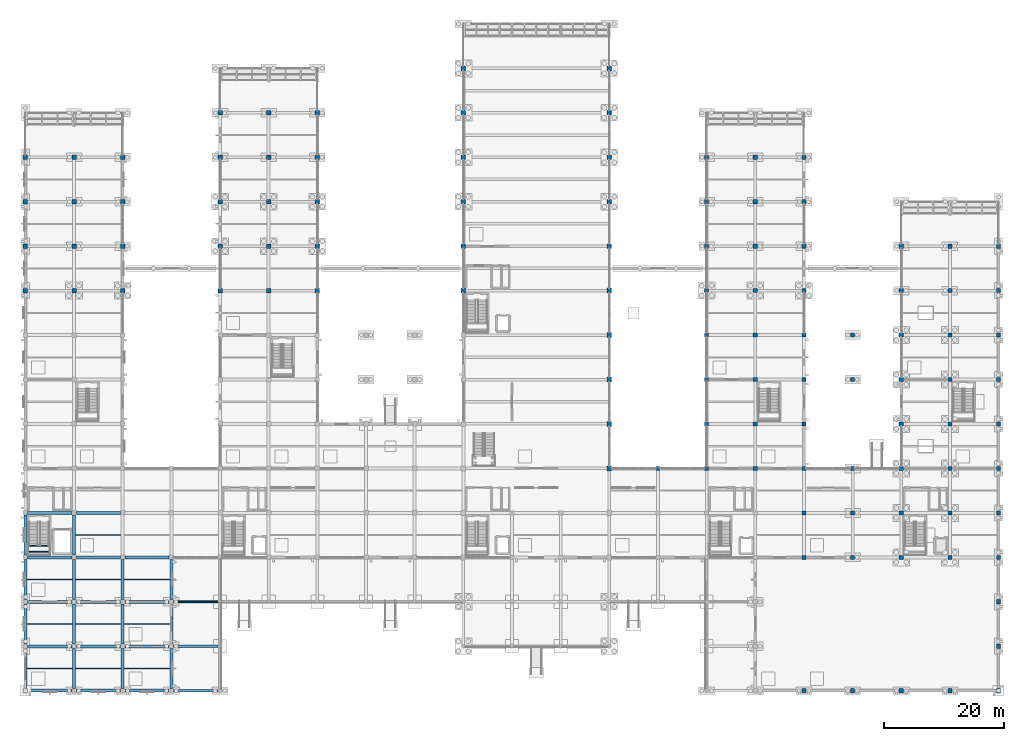
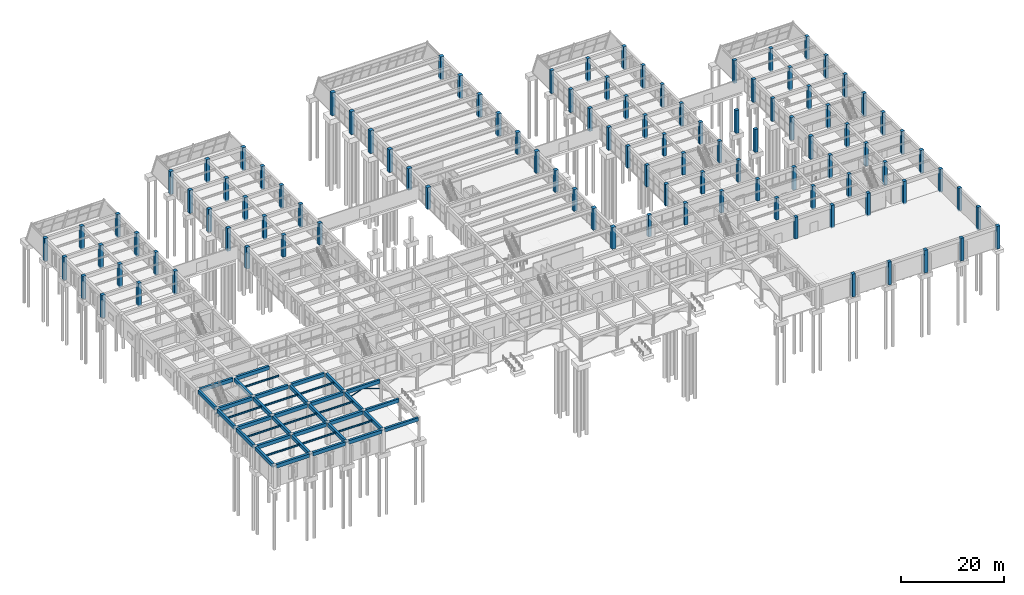
# One storey, part 5 of 140: 106 columns, 43 beams, 2 members.
"""IFC4 building model written with IfcOpenShell, lengths in metres."""

import ifcopenshell
import ifcopenshell.guid

model = None  # the IFC model being written
_history = None  # IfcOwnerHistory: only IFC2X3 demands one
_inside = {}  # id of a spatial element -> (the spatial element, [elements in it])
_under = {}  # id of a project, library or spatial element -> (it, [spatial elements below it])
_declared = {}  # id of a project -> (the project, [libraries it declares])
_typed = {}  # id of a type object -> (the type object, [elements of that type])
_made_of = {}  # id of a material, layer set ... -> (it, [elements and type objects made of it])


def new_model(schema):
    """Start an empty IFC model of exactly this schema.

    Asked for "IFC4X3", IfcOpenShell would pick the latest addendum, in which some entities
    have other attributes; the version numbers below select the first issue.
    IFC2X3 requires an IfcOwnerHistory on every rooted entity: one is made here for all.
    """
    global model, _history
    if schema == "IFC4X3":
        model = ifcopenshell.file(schema_version=(4, 3, 0, 0))
    else:
        model = ifcopenshell.file(schema=schema)
    _inside.clear()
    _under.clear()
    _declared.clear()
    _typed.clear()
    _made_of.clear()
    _history = None
    if model.schema == "IFC2X3":
        org = make("IfcOrganization", Name="unknown")
        user = make(
            "IfcPersonAndOrganization",
            ThePerson=make("IfcPerson", FamilyName="unknown"),
            TheOrganization=org,
        )
        app = make(
            "IfcApplication",
            ApplicationDeveloper=org,
            Version="unknown",
            ApplicationFullName="unknown",
            ApplicationIdentifier="unknown",
        )
        _history = make(
            "IfcOwnerHistory",
            OwningUser=user,
            OwningApplication=app,
            ChangeAction="ADDED",
            CreationDate=0,
        )
    return model


def make(cls, **values):
    """One entity of the class cls with the attributes given. An attribute that is None is left unset."""
    return model.create_entity(
        cls, **{name: value for name, value in values.items() if value is not None}
    )


def rooted(cls, **values):
    """An entity with a GlobalId (a new one), such as an element, a storey or a relation."""
    return make(cls, GlobalId=ifcopenshell.guid.new(), OwnerHistory=_history, **values)


def si_unit(unit_type, name, prefix=None):
    """IfcSIUnit, for example si_unit("LENGTHUNIT", "METRE", prefix="MILLI")."""
    return make("IfcSIUnit", UnitType=unit_type, Prefix=prefix, Name=name)


def assignment(units):
    """IfcUnitAssignment: the units of a project."""
    return None if units is None else make("IfcUnitAssignment", Units=units)


def point(xyz):
    """IfcCartesianPoint."""
    return None if xyz is None else make("IfcCartesianPoint", Coordinates=xyz)


def direction(xyz):
    """IfcDirection."""
    return None if xyz is None else make("IfcDirection", DirectionRatios=xyz)


def frame(location, z_axis=None, x_axis=None):
    """IfcAxis2Placement3D, a coordinate frame: its origin and axes. An axis left out is left unset."""
    return make(
        "IfcAxis2Placement3D",
        Location=point(location),
        Axis=direction(z_axis),
        RefDirection=direction(x_axis),
    )


def frame_2d(location, x_axis=None):
    """IfcAxis2Placement2D, a coordinate frame in the plane: its origin and x axis."""
    return make(
        "IfcAxis2Placement2D", Location=point(location), RefDirection=direction(x_axis)
    )


def origin():
    """The frame at (0, 0, 0) with its axes left unset."""
    return frame((0.0, 0.0, 0.0))


def origin_2d():
    """The frame at (0, 0) in the plane with its x axis left unset."""
    return frame_2d((0.0, 0.0))


def place(relative_to, where):
    """IfcLocalPlacement: puts the frame where relative to a parent placement (None: the world)."""
    return make(
        "IfcLocalPlacement", PlacementRelTo=relative_to, RelativePlacement=where
    )


def context(
    kind, dimensions, precision=None, world=None, true_north=None, identifier=None
):
    """IfcGeometricRepresentationContext, for example the 3D "Model" context."""
    return make(
        "IfcGeometricRepresentationContext",
        ContextIdentifier=identifier,
        ContextType=kind,
        CoordinateSpaceDimension=dimensions,
        Precision=precision,
        WorldCoordinateSystem=world,
        TrueNorth=true_north,
    )


def subcontext(parent, identifier, kind, view, scale=None):
    """IfcGeometricRepresentationSubContext, for example "Body" below "Model"."""
    return make(
        "IfcGeometricRepresentationSubContext",
        ContextIdentifier=identifier,
        ContextType=kind,
        ParentContext=parent,
        TargetScale=scale,
        TargetView=view,
    )


def project(units=None, contexts=None):
    """IfcProject with its units and contexts."""
    return rooted(
        "IfcProject",
        Name="project",
        RepresentationContexts=contexts,
        UnitsInContext=assignment(units),
    )


def spatial(cls, under=None, at=None, **own):
    """A site, building, storey or space (cls), placed at a placement, below another one or the project."""
    s = rooted(cls, ObjectPlacement=at, **own)
    if under is not None:
        _under.setdefault(under.id(), (under, []))[1].append(s)
    return s


def profile(cls, at=None, kind="AREA", **sizes):
    """A parametric profile (cls). Its sizes go by their IFC names, for example OverallWidth=200.0."""
    return make(cls, ProfileType=kind, Position=at, **sizes)


def rectangle(**sizes):
    """IfcRectangleProfileDef."""
    return profile("IfcRectangleProfileDef", **sizes)


def hollow_rectangle(**sizes):
    """IfcRectangleHollowProfileDef."""
    return profile("IfcRectangleHollowProfileDef", **sizes)


def i_section(**sizes):
    """IfcIShapeProfileDef."""
    return profile("IfcIShapeProfileDef", **sizes)


def extrude(swept, where, along, depth):
    """IfcExtrudedAreaSolid: the profile swept, set in the frame where, extruded along a direction by depth."""
    return make(
        "IfcExtrudedAreaSolid",
        SweptArea=swept,
        Position=where,
        ExtrudedDirection=direction(along),
        Depth=depth,
    )


def shape(context_of_items, identifier, shape_type, items):
    """IfcShapeRepresentation: the items that make up one representation, for example the "Body"."""
    return make(
        "IfcShapeRepresentation",
        ContextOfItems=context_of_items,
        RepresentationIdentifier=identifier,
        RepresentationType=shape_type,
        Items=items,
    )


def material(Name=None, Category=None):
    """IfcMaterial."""
    return make("IfcMaterial", Name=Name, Category=Category)


def material_profile(
    of_material, cross_section, Name=None, Category=None, Priority=None
):
    """IfcMaterialProfile: a cross section and its material."""
    return make(
        "IfcMaterialProfile",
        Name=Name,
        Material=of_material,
        Profile=cross_section,
        Priority=Priority,
        Category=Category,
    )


def profile_set(profiles, Name=None, composite=None):
    """IfcMaterialProfileSet."""
    return make(
        "IfcMaterialProfileSet",
        Name=Name,
        MaterialProfiles=profiles,
        CompositeProfile=composite,
    )


def made_of(thing, what):
    """Note that an element or type object is made of a material, layer set ...; save() writes the relation."""
    if what is not None:
        _made_of.setdefault(what.id(), (what, []))[1].append(thing)
    return thing


def type_object(cls, material=None, **own):
    """A type object (cls), such as IfcWallType, which elements share."""
    return made_of(rooted(cls, **own), material)


def element(
    cls,
    number,
    at=None,
    inside=None,
    cuts=None,
    type_object=None,
    material=None,
    context=None,
    identifier="Body",
    shape_type=None,
    held_by="IfcProductDefinitionShape",
    body=None,
    shapes=None,
    **own,
):
    """One element of the class cls, such as IfcWall. Its Tag is "e" and its number.

    at: its placement. inside: the storey or other place that contains it. cuts: it is an
    opening in that element (IfcRelVoidsElement). A single representation is given by context,
    identifier, shape_type and body (its items); several are given by shapes. held_by: the class
    of the entity that holds the representations. save() writes the other relations.
    """
    e = rooted(cls, Tag="e%d" % number, ObjectPlacement=at, **own)
    if body is not None:
        shapes = [shape(context, identifier, shape_type, body)]
    if shapes is not None:
        e.Representation = make(held_by, Representations=shapes)
    if inside is not None:
        _inside.setdefault(inside.id(), (inside, []))[1].append(e)
    if cuts is not None:
        rooted(
            "IfcRelVoidsElement", RelatingBuildingElement=cuts, RelatedOpeningElement=e
        )
    if type_object is not None:
        _typed.setdefault(type_object.id(), (type_object, []))[1].append(e)
    return made_of(e, material)


def aggregate(whole, parts):
    """IfcRelAggregates: a whole, such as a stair, and the parts it consists of."""
    return rooted("IfcRelAggregates", RelatingObject=whole, RelatedObjects=parts)


def save(model, path):
    """Write the relations noted so far, then the file.

    IfcRelAggregates (storeys below a building ...), IfcRelContainedInSpatialStructure (elements
    in a storey), IfcRelDefinesByType, IfcRelAssociatesMaterial and IfcRelDeclares: one each for
    every whole, place, type object, material and project.
    """
    for whole, parts in _under.values():
        aggregate(whole, parts)
    for where, things in _inside.values():
        rooted(
            "IfcRelContainedInSpatialStructure",
            RelatedElements=things,
            RelatingStructure=where,
        )
    for kind, things in _typed.values():
        rooted("IfcRelDefinesByType", RelatedObjects=things, RelatingType=kind)
    for what, things in _made_of.values():
        rooted("IfcRelAssociatesMaterial", RelatedObjects=things, RelatingMaterial=what)
    for by, libraries in _declared.values():
        rooted("IfcRelDeclares", RelatingContext=by, RelatedDefinitions=libraries)
    model.write(path)


model = new_model("IFC4")

# Units and contexts
model_context = context("Model", 3, precision=1e-05, world=origin(), true_north=direction((0.0, 1.0)))
body_context = subcontext(model_context, "Body", "Model", "MODEL_VIEW")
ifc_project = project(units=[si_unit("LENGTHUNIT", "METRE"), si_unit("AREAUNIT", "SQUARE_METRE"), si_unit("VOLUMEUNIT", "CUBIC_METRE"), si_unit("PLANEANGLEUNIT", "RADIAN"), si_unit("MASSUNIT", "GRAM", prefix="KILO")], contexts=[model_context])

# Site, building, storey
site_placement = place(None, origin())
site = spatial("IfcSite", under=ifc_project, at=site_placement, CompositionType="ELEMENT")
building_placement = place(site_placement, origin())
building = spatial("IfcBuilding", under=site, at=building_placement, Name="Cimatlan Art Gallery", CompositionType="ELEMENT")
storey_placement = place(building_placement, origin())
storey = spatial("IfcBuildingStorey", under=building, at=storey_placement, Name="L00", CompositionType="ELEMENT", Elevation=0.0)

# Columns
ifc_material_1 = material(Name="Concrete C45/55", Category="concrete")
ifc_material_profile_1 = material_profile(ifc_material_1, rectangle(XDim=0.699951171875, YDim=0.699951171875, at=origin_2d()), Name="RC700X700")
ifc_profile_set_1 = profile_set([ifc_material_profile_1], Name="Concrete C45/55")
column_type_1 = type_object("IfcColumnType", Name="COL-RC-700", PredefinedType="COLUMN", material=ifc_profile_set_1)
for number, where, z_axis, x_axis, name in (
    (1, (107.300048828125, 38.699951171875, 0.0), (0.0, 0.0, 1.0), (1.0, 0.0, 0.0), "COL-L00-13-05"),
    (2, (115.39990234375, 38.699951171875, 0.0), (0.0, 0.0, 1.0), (1.0, 0.0, 0.0), "COL-L00-14-05"),
    (3, (115.39990234375, 46.10009765625, 0.0), (0.0, 0.0, 1.0), (1.0, 0.0, 0.0), "COL-L00-14-06"),
    (4, (115.39990234375, 53.5, 0.0), (0.0, 0.0, 1.0), (1.0, 0.0, 0.0), "COL-L00-14-07"),
    (5, (115.39990234375, 60.89990234375, 0.0), (0.0, 0.0, 1.0), (1.0, 0.0, 0.0), "COL-L00-14-08"),
):
    element("IfcColumn", number, at=place(storey_placement, frame(where, z_axis=z_axis, x_axis=x_axis)), inside=storey, type_object=column_type_1, Name=name, PredefinedType="COLUMN", context=body_context, shape_type="SweptSolid", body=[
        extrude(rectangle(XDim=0.699951171875, YDim=0.699951171875, at=origin_2d()), origin(), (0.0, 0.0, 1.0), 5.135009765625),
    ])
for number, where, z_axis, x_axis, name in (
    (6, (115.39990234375, 68.300048828125, -0.280029296875), (0.0, 0.0, 1.0), (1.0, 0.0, 0.0), "COL-L00-14-09"),
    (7, (115.39990234375, 75.699951171875, -0.280029296875), (0.0, 0.0, 1.0), (1.0, 0.0, 0.0), "COL-L00-14-10"),
    (8, (115.39990234375, 83.10009765625, -0.280029296875), (0.0, 0.0, 1.0), (1.0, 0.0, 0.0), "COL-L00-14-11"),
    (9, (115.39990234375, 90.5, -0.280029296875), (0.0, 0.0, 1.0), (1.0, 0.0, 0.0), "COL-L00-14-12"),
):
    element("IfcColumn", number, at=place(storey_placement, frame(where, z_axis=z_axis, x_axis=x_axis)), inside=storey, type_object=column_type_1, Name=name, PredefinedType="COLUMN", context=body_context, shape_type="SweptSolid", body=[
        extrude(rectangle(XDim=0.699951171875, YDim=0.699951171875, at=origin_2d()), origin(), (0.0, 0.0, 1.0), 5.4150390625),
    ])
for number, where, z_axis, x_axis, name in (
    (10, (123.5, 38.699951171875, 0.0), (0.0, 0.0, 1.0), (1.0, 0.0, 0.0), "COL-L00-15-05"),
    (11, (123.5, 46.10009765625, 0.0), (0.0, 0.0, 1.0), (1.0, 0.0, 0.0), "COL-L00-15-06"),
    (12, (123.5, 53.5, 0.0), (0.0, 0.0, 1.0), (1.0, 0.0, 0.0), "COL-L00-15-07"),
    (13, (123.5, 60.89990234375, 0.0), (0.0, 0.0, 1.0), (1.0, 0.0, 0.0), "COL-L00-15-08"),
):
    element("IfcColumn", number, at=place(storey_placement, frame(where, z_axis=z_axis, x_axis=x_axis)), inside=storey, type_object=column_type_1, Name=name, PredefinedType="COLUMN", context=body_context, shape_type="SweptSolid", body=[
        extrude(rectangle(XDim=0.699951171875, YDim=0.699951171875, at=origin_2d()), origin(), (0.0, 0.0, 1.0), 5.135009765625),
    ])
for number, where, z_axis, x_axis, name in (
    (14, (123.5, 68.300048828125, -0.280029296875), (0.0, 0.0, 1.0), (1.0, 0.0, 0.0), "COL-L00-15-09"),
    (15, (123.5, 75.699951171875, -0.280029296875), (0.0, 0.0, 1.0), (1.0, 0.0, 0.0), "COL-L00-15-10"),
    (16, (123.5, 83.10009765625, -0.280029296875), (0.0, 0.0, 1.0), (1.0, 0.0, 0.0), "COL-L00-15-11"),
    (17, (123.5, 90.5, -0.280029296875), (0.0, 0.0, 1.0), (1.0, 0.0, 0.0), "COL-L00-15-12"),
    (18, (131.60009765625, 1.699951171875, -0.280029296875), (0.0, 0.0, 1.0), (1.0, 0.0, 0.0), "COL-L00-16-00"),
):
    element("IfcColumn", number, at=place(storey_placement, frame(where, z_axis=z_axis, x_axis=x_axis)), inside=storey, type_object=column_type_1, Name=name, PredefinedType="COLUMN", context=body_context, shape_type="SweptSolid", body=[
        extrude(rectangle(XDim=0.699951171875, YDim=0.699951171875, at=origin_2d()), origin(), (0.0, 0.0, 1.0), 5.4150390625),
    ])
for number, where, z_axis, x_axis, name in (
    (19, (131.60009765625, 23.89990234375, 0.0), (0.0, 0.0, 1.0), (1.0, 0.0, 0.0), "COL-L00-16-03"),
    (20, (131.60009765625, 31.300048828125, 0.0), (0.0, 0.0, 1.0), (1.0, 0.0, 0.0), "COL-L00-16-04"),
    (21, (131.60009765625, 38.699951171875, 0.0), (0.0, 0.0, 1.0), (1.0, 0.0, 0.0), "COL-L00-16-05"),
    (22, (131.60009765625, 46.10009765625, 0.0), (0.0, 0.0, 1.0), (1.0, 0.0, 0.0), "COL-L00-16-06"),
    (23, (131.60009765625, 53.5, 0.0), (0.0, 0.0, 1.0), (1.0, 0.0, 0.0), "COL-L00-16-07"),
    (24, (131.60009765625, 60.89990234375, 0.0), (0.0, 0.0, 1.0), (1.0, 0.0, 0.0), "COL-L00-16-08"),
):
    element("IfcColumn", number, at=place(storey_placement, frame(where, z_axis=z_axis, x_axis=x_axis)), inside=storey, type_object=column_type_1, Name=name, PredefinedType="COLUMN", context=body_context, shape_type="SweptSolid", body=[
        extrude(rectangle(XDim=0.699951171875, YDim=0.699951171875, at=origin_2d()), origin(), (0.0, 0.0, 1.0), 5.135009765625),
    ])
for number, where, z_axis, x_axis, name in (
    (25, (131.60009765625, 68.300048828125, -0.280029296875), (0.0, 0.0, 1.0), (1.0, 0.0, 0.0), "COL-L00-16-09"),
    (26, (131.60009765625, 75.699951171875, -0.280029296875), (0.0, 0.0, 1.0), (1.0, 0.0, 0.0), "COL-L00-16-10"),
    (27, (131.60009765625, 83.10009765625, -0.280029296875), (0.0, 0.0, 1.0), (1.0, 0.0, 0.0), "COL-L00-16-11"),
    (28, (131.60009765625, 90.5, -0.280029296875), (0.0, 0.0, 1.0), (1.0, 0.0, 0.0), "COL-L00-16-12"),
    (29, (139.699951171875, 1.699951171875, -0.280029296875), (0.0, 0.0, 1.0), (1.0, 0.0, 0.0), "COL-L00-17-00"),
    (30, (139.699951171875, 23.89990234375, -0.280029296875), (0.0, 0.0, 1.0), (1.0, 0.0, 0.0), "COL-L00-17-03"),
    (31, (139.699951171875, 31.300048828125, -0.280029296875), (0.0, 0.0, 1.0), (1.0, 0.0, 0.0), "COL-L00-17-04"),
    (32, (139.699951171875, 38.699951171875, -0.280029296875), (0.0, 0.0, 1.0), (1.0, 0.0, 0.0), "COL-L00-17-05"),
    (33, (139.699951171875, 53.5, -0.280029296875), (0.0, 0.0, 1.0), (1.0, 0.0, 0.0), "COL-L00-17-07"),
    (34, (139.699951171875, 60.89990234375, -0.280029296875), (0.0, 0.0, 1.0), (1.0, 0.0, 0.0), "COL-L00-17-08"),
    (35, (147.800048828125, 1.699951171875, -0.280029296875), (0.0, 0.0, 1.0), (1.0, 0.0, 0.0), "COL-L00-18-00"),
    (36, (147.800048828125, 23.89990234375, -0.280029296875), (0.0, 0.0, 1.0), (1.0, 0.0, 0.0), "COL-L00-18-03"),
    (37, (147.800048828125, 31.300048828125, -0.280029296875), (0.0, 0.0, 1.0), (1.0, 0.0, 0.0), "COL-L00-18-04"),
    (38, (147.800048828125, 38.699951171875, -0.280029296875), (0.0, 0.0, 1.0), (1.0, 0.0, 0.0), "COL-L00-18-05"),
    (39, (147.800048828125, 46.10009765625, -0.280029296875), (0.0, 0.0, 1.0), (1.0, 0.0, 0.0), "COL-L00-18-06"),
    (40, (147.800048828125, 53.5, -0.280029296875), (0.0, 0.0, 1.0), (1.0, 0.0, 0.0), "COL-L00-18-07"),
    (41, (147.800048828125, 60.89990234375, -0.280029296875), (0.0, 0.0, 1.0), (1.0, 0.0, 0.0), "COL-L00-18-08"),
    (42, (147.800048828125, 68.300048828125, -0.280029296875), (0.0, 0.0, 1.0), (1.0, 0.0, 0.0), "COL-L00-18-09"),
    (43, (147.800048828125, 75.699951171875, -0.280029296875), (0.0, 0.0, 1.0), (1.0, 0.0, 0.0), "COL-L00-18-10"),
    (44, (155.89990234375, 1.699951171875, -0.280029296875), (0.0, 0.0, 1.0), (1.0, 0.0, 0.0), "COL-L00-19-00"),
    (45, (155.89990234375, 23.89990234375, -0.280029296875), (0.0, 0.0, 1.0), (1.0, 0.0, 0.0), "COL-L00-19-03"),
    (46, (155.89990234375, 31.300048828125, -0.280029296875), (0.0, 0.0, 1.0), (1.0, 0.0, 0.0), "COL-L00-19-04"),
    (47, (155.89990234375, 38.699951171875, -0.280029296875), (0.0, 0.0, 1.0), (1.0, 0.0, 0.0), "COL-L00-19-05"),
    (48, (155.89990234375, 46.10009765625, -0.280029296875), (0.0, 0.0, 1.0), (1.0, 0.0, 0.0), "COL-L00-19-06"),
    (49, (155.89990234375, 53.5, -0.280029296875), (0.0, 0.0, 1.0), (1.0, 0.0, 0.0), "COL-L00-19-07"),
    (50, (155.89990234375, 60.89990234375, -0.280029296875), (0.0, 0.0, 1.0), (1.0, 0.0, 0.0), "COL-L00-19-08"),
    (51, (155.89990234375, 68.300048828125, -0.280029296875), (0.0, 0.0, 1.0), (1.0, 0.0, 0.0), "COL-L00-19-09"),
    (52, (155.89990234375, 75.699951171875, -0.280029296875), (0.0, 0.0, 1.0), (1.0, 0.0, 0.0), "COL-L00-19-10"),
    (53, (164.0, 1.699951171875, -0.280029296875), (0.0, 0.0, 1.0), (1.0, 0.0, 0.0), "COL-L00-20-00"),
    (54, (164.0, 9.10009765625, -0.280029296875), (0.0, 0.0, 1.0), (1.0, 0.0, 0.0), "COL-L00-20-01"),
    (55, (164.0, 16.5, -0.280029296875), (0.0, 0.0, 1.0), (1.0, 0.0, 0.0), "COL-L00-20-02"),
    (56, (164.0, 23.89990234375, -0.280029296875), (0.0, 0.0, 1.0), (1.0, 0.0, 0.0), "COL-L00-20-03"),
    (57, (164.0, 31.300048828125, -0.280029296875), (0.0, 0.0, 1.0), (1.0, 0.0, 0.0), "COL-L00-20-04"),
    (58, (164.0, 38.699951171875, -0.280029296875), (0.0, 0.0, 1.0), (1.0, 0.0, 0.0), "COL-L00-20-05"),
    (59, (164.0, 46.10009765625, -0.280029296875), (0.0, 0.0, 1.0), (1.0, 0.0, 0.0), "COL-L00-20-06"),
    (60, (164.0, 53.5, -0.280029296875), (0.0, 0.0, 1.0), (1.0, 0.0, 0.0), "COL-L00-20-07"),
    (61, (164.0, 60.89990234375, -0.280029296875), (0.0, 0.0, 1.0), (1.0, 0.0, 0.0), "COL-L00-20-08"),
    (62, (164.0, 68.300048828125, -0.280029296875), (0.0, 0.0, 1.0), (1.0, 0.0, 0.0), "COL-L00-20-09"),
    (63, (164.0, 75.699951171875, -0.280029296875), (0.0, 0.0, 1.0), (1.0, 0.0, 0.0), "COL-L00-20-10"),
):
    element("IfcColumn", number, at=place(storey_placement, frame(where, z_axis=z_axis, x_axis=x_axis)), inside=storey, type_object=column_type_1, Name=name, PredefinedType="COLUMN", context=body_context, shape_type="SweptSolid", body=[
        extrude(rectangle(XDim=0.699951171875, YDim=0.699951171875, at=origin_2d()), origin(), (0.0, 0.0, 1.0), 5.4150390625),
    ])
ifc_material_profile_2 = material_profile(ifc_material_1, rectangle(XDim=0.75, YDim=0.75, at=origin_2d()), Name="RC750X750")
ifc_profile_set_2 = profile_set([ifc_material_profile_2], Name="Concrete C45/55")
column_type_2 = type_object("IfcColumnType", Name="COL-RC-750", PredefinedType="COLUMN", material=ifc_profile_set_2)
for number, where, z_axis, x_axis, name in (
    (64, (2.0, 68.300048828125, -0.280029296875), (0.0, 0.0, 1.0), (1.0, 0.0, 0.0), "COL-L00-00-09"),
    (65, (2.0, 75.699951171875, -0.280029296875), (0.0, 0.0, 1.0), (1.0, 0.0, 0.0), "COL-L00-00-10"),
    (66, (2.0, 83.10009765625, -0.280029296875), (0.0, 0.0, 1.0), (1.0, 0.0, 0.0), "COL-L00-00-11"),
    (67, (2.0, 90.5, -0.280029296875), (0.0, 0.0, 1.0), (1.0, 0.0, 0.0), "COL-L00-00-12"),
    (68, (10.10009765625, 68.300048828125, -0.280029296875), (0.0, 0.0, 1.0), (1.0, 0.0, 0.0), "COL-L00-01-09"),
    (69, (10.10009765625, 75.699951171875, -0.280029296875), (0.0, 0.0, 1.0), (1.0, 0.0, 0.0), "COL-L00-01-10"),
    (70, (10.10009765625, 83.10009765625, -0.280029296875), (0.0, 0.0, 1.0), (1.0, 0.0, 0.0), "COL-L00-01-11"),
    (71, (10.10009765625, 90.5, -0.280029296875), (0.0, 0.0, 1.0), (1.0, 0.0, 0.0), "COL-L00-01-12"),
    (72, (18.199951171875, 68.300048828125, -0.280029296875), (0.0, 0.0, 1.0), (1.0, 0.0, 0.0), "COL-L00-02-09"),
    (73, (18.199951171875, 75.699951171875, -0.280029296875), (0.0, 0.0, 1.0), (1.0, 0.0, 0.0), "COL-L00-02-10"),
    (74, (18.199951171875, 83.10009765625, -0.280029296875), (0.0, 0.0, 1.0), (1.0, 0.0, 0.0), "COL-L00-02-11"),
    (75, (18.199951171875, 90.5, -0.280029296875), (0.0, 0.0, 1.0), (1.0, 0.0, 0.0), "COL-L00-02-12"),
):
    element("IfcColumn", number, at=place(storey_placement, frame(where, z_axis=z_axis, x_axis=x_axis)), inside=storey, type_object=column_type_2, Name=name, PredefinedType="COLUMN", context=body_context, shape_type="SweptSolid", body=[
        extrude(rectangle(XDim=0.75, YDim=0.75, at=origin_2d()), origin(), (0.0, 0.0, 1.0), 5.4150390625),
    ])
column_1_placement = place(storey_placement, frame((34.39990234375, 68.300048828125, 0.0), z_axis=(0.0, 0.0, 1.0), x_axis=(1.0, 0.0, 0.0)))
element("IfcColumn", 76, at=column_1_placement, inside=storey, type_object=column_type_2, Name="COL-L00-04-09", PredefinedType="COLUMN", context=body_context, shape_type="SweptSolid", body=[
    extrude(rectangle(XDim=0.75, YDim=0.75, at=origin_2d()), origin(), (0.0, 0.0, 1.0), 5.135009765625),
])
for number, where, z_axis, x_axis, name in (
    (77, (34.39990234375, 75.699951171875, -0.280029296875), (0.0, 0.0, 1.0), (1.0, 0.0, 0.0), "COL-L00-04-10"),
    (78, (34.39990234375, 83.10009765625, -0.280029296875), (0.0, 0.0, 1.0), (1.0, 0.0, 0.0), "COL-L00-04-11"),
    (79, (34.39990234375, 90.5, -0.280029296875), (0.0, 0.0, 1.0), (1.0, 0.0, 0.0), "COL-L00-04-12"),
    (80, (34.39990234375, 97.89990234375, -0.280029296875), (0.0, 0.0, 1.0), (1.0, 0.0, 0.0), "COL-L00-04-13"),
):
    element("IfcColumn", number, at=place(storey_placement, frame(where, z_axis=z_axis, x_axis=x_axis)), inside=storey, type_object=column_type_2, Name=name, PredefinedType="COLUMN", context=body_context, shape_type="SweptSolid", body=[
        extrude(rectangle(XDim=0.75, YDim=0.75, at=origin_2d()), origin(), (0.0, 0.0, 1.0), 5.4150390625),
    ])
column_2_placement = place(storey_placement, frame((42.5, 68.300048828125, 0.0), z_axis=(0.0, 0.0, 1.0), x_axis=(1.0, 0.0, 0.0)))
element("IfcColumn", 81, at=column_2_placement, inside=storey, type_object=column_type_2, Name="COL-L00-05-09", PredefinedType="COLUMN", context=body_context, shape_type="SweptSolid", body=[
    extrude(rectangle(XDim=0.75, YDim=0.75, at=origin_2d()), origin(), (0.0, 0.0, 1.0), 5.135009765625),
])
for number, where, z_axis, x_axis, name in (
    (82, (42.5, 75.699951171875, -0.280029296875), (0.0, 0.0, 1.0), (1.0, 0.0, 0.0), "COL-L00-05-10"),
    (83, (42.5, 83.10009765625, -0.280029296875), (0.0, 0.0, 1.0), (1.0, 0.0, 0.0), "COL-L00-05-11"),
    (84, (42.5, 90.5, -0.280029296875), (0.0, 0.0, 1.0), (1.0, 0.0, 0.0), "COL-L00-05-12"),
    (85, (42.5, 97.89990234375, -0.280029296875), (0.0, 0.0, 1.0), (1.0, 0.0, 0.0), "COL-L00-05-13"),
):
    element("IfcColumn", number, at=place(storey_placement, frame(where, z_axis=z_axis, x_axis=x_axis)), inside=storey, type_object=column_type_2, Name=name, PredefinedType="COLUMN", context=body_context, shape_type="SweptSolid", body=[
        extrude(rectangle(XDim=0.75, YDim=0.75, at=origin_2d()), origin(), (0.0, 0.0, 1.0), 5.4150390625),
    ])
column_3_placement = place(storey_placement, frame((50.60009765625, 68.300048828125, 0.0), z_axis=(0.0, 0.0, 1.0), x_axis=(1.0, 0.0, 0.0)))
element("IfcColumn", 86, at=column_3_placement, inside=storey, type_object=column_type_2, Name="COL-L00-06-09", PredefinedType="COLUMN", context=body_context, shape_type="SweptSolid", body=[
    extrude(rectangle(XDim=0.75, YDim=0.75, at=origin_2d()), origin(), (0.0, 0.0, 1.0), 5.135009765625),
])
for number, where, z_axis, x_axis, name in (
    (87, (50.60009765625, 75.699951171875, -0.280029296875), (0.0, 0.0, 1.0), (1.0, 0.0, 0.0), "COL-L00-06-10"),
    (88, (50.60009765625, 83.10009765625, -0.280029296875), (0.0, 0.0, 1.0), (1.0, 0.0, 0.0), "COL-L00-06-11"),
    (89, (50.60009765625, 90.5, -0.280029296875), (0.0, 0.0, 1.0), (1.0, 0.0, 0.0), "COL-L00-06-12"),
    (90, (50.60009765625, 97.89990234375, -0.280029296875), (0.0, 0.0, 1.0), (1.0, 0.0, 0.0), "COL-L00-06-13"),
):
    element("IfcColumn", number, at=place(storey_placement, frame(where, z_axis=z_axis, x_axis=x_axis)), inside=storey, type_object=column_type_2, Name=name, PredefinedType="COLUMN", context=body_context, shape_type="SweptSolid", body=[
        extrude(rectangle(XDim=0.75, YDim=0.75, at=origin_2d()), origin(), (0.0, 0.0, 1.0), 5.4150390625),
    ])
ifc_material_profile_3 = material_profile(ifc_material_1, rectangle(XDim=0.800048828125, YDim=0.800048828125, at=origin_2d()), Name="RC800X800")
ifc_profile_set_3 = profile_set([ifc_material_profile_3], Name="Concrete C45/55")
column_type_3 = type_object("IfcColumnType", Name="COL-RC-800", PredefinedType="COLUMN", material=ifc_profile_set_3)
for number, where, z_axis, x_axis, name in (
    (91, (74.89990234375, 68.300048828125, 0.0), (0.0, 0.0, 1.0), (1.0, 0.0, 0.0), "COL-L00-09-09"),
    (92, (74.89990234375, 75.699951171875, 0.0), (0.0, 0.0, 1.0), (1.0, 0.0, 0.0), "COL-L00-09-10"),
):
    element("IfcColumn", number, at=place(storey_placement, frame(where, z_axis=z_axis, x_axis=x_axis)), inside=storey, type_object=column_type_3, Name=name, PredefinedType="COLUMN", context=body_context, shape_type="SweptSolid", body=[
        extrude(rectangle(XDim=0.800048828125, YDim=0.800048828125, at=origin_2d()), origin(), (0.0, 0.0, 1.0), 5.135009765625),
    ])
for number, where, z_axis, x_axis, name in (
    (93, (74.89990234375, 83.10009765625, -0.280029296875), (0.0, 0.0, 1.0), (1.0, 0.0, 0.0), "COL-L00-09-11"),
    (94, (74.89990234375, 90.5, -0.280029296875), (0.0, 0.0, 1.0), (1.0, 0.0, 0.0), "COL-L00-09-12"),
    (95, (74.89990234375, 97.89990234375, -0.280029296875), (0.0, 0.0, 1.0), (1.0, 0.0, 0.0), "COL-L00-09-13"),
    (96, (74.89990234375, 105.300048828125, -0.280029296875), (0.0, 0.0, 1.0), (1.0, 0.0, 0.0), "COL-L00-09-14"),
):
    element("IfcColumn", number, at=place(storey_placement, frame(where, z_axis=z_axis, x_axis=x_axis)), inside=storey, type_object=column_type_3, Name=name, PredefinedType="COLUMN", context=body_context, shape_type="SweptSolid", body=[
        extrude(rectangle(XDim=0.800048828125, YDim=0.800048828125, at=origin_2d()), origin(), (0.0, 0.0, 1.0), 5.4150390625),
    ])
for number, where, z_axis, x_axis, name in (
    (97, (99.199951171875, 38.699951171875, 0.0), (0.0, 0.0, 1.0), (1.0, 0.0, 0.0), "COL-L00-12-05"),
    (98, (99.199951171875, 46.10009765625, 0.0), (0.0, 0.0, 1.0), (1.0, 0.0, 0.0), "COL-L00-12-06"),
    (99, (99.199951171875, 53.5, 0.0), (0.0, 0.0, 1.0), (1.0, 0.0, 0.0), "COL-L00-12-07"),
    (100, (99.199951171875, 60.89990234375, 0.0), (0.0, 0.0, 1.0), (1.0, 0.0, 0.0), "COL-L00-12-08"),
    (101, (99.199951171875, 68.300048828125, 0.0), (0.0, 0.0, 1.0), (1.0, 0.0, 0.0), "COL-L00-12-09"),
    (102, (99.199951171875, 75.699951171875, 0.0), (0.0, 0.0, 1.0), (1.0, 0.0, 0.0), "COL-L00-12-10"),
):
    element("IfcColumn", number, at=place(storey_placement, frame(where, z_axis=z_axis, x_axis=x_axis)), inside=storey, type_object=column_type_3, Name=name, PredefinedType="COLUMN", context=body_context, shape_type="SweptSolid", body=[
        extrude(rectangle(XDim=0.800048828125, YDim=0.800048828125, at=origin_2d()), origin(), (0.0, 0.0, 1.0), 5.135009765625),
    ])
for number, where, z_axis, x_axis, name in (
    (103, (99.199951171875, 83.10009765625, -0.280029296875), (0.0, 0.0, 1.0), (1.0, 0.0, 0.0), "COL-L00-12-11"),
    (104, (99.199951171875, 90.5, -0.280029296875), (0.0, 0.0, 1.0), (1.0, 0.0, 0.0), "COL-L00-12-12"),
    (105, (99.199951171875, 97.89990234375, -0.280029296875), (0.0, 0.0, 1.0), (1.0, 0.0, 0.0), "COL-L00-12-13"),
    (106, (99.199951171875, 105.300048828125, -0.280029296875), (0.0, 0.0, 1.0), (1.0, 0.0, 0.0), "COL-L00-12-14"),
):
    element("IfcColumn", number, at=place(storey_placement, frame(where, z_axis=z_axis, x_axis=x_axis)), inside=storey, type_object=column_type_3, Name=name, PredefinedType="COLUMN", context=body_context, shape_type="SweptSolid", body=[
        extrude(rectangle(XDim=0.800048828125, YDim=0.800048828125, at=origin_2d()), origin(), (0.0, 0.0, 1.0), 5.4150390625),
    ])

# Beams
ifc_material_2 = material(Name="Concrete C40/50", Category="concrete")
ifc_material_profile_4 = material_profile(ifc_material_2, rectangle(XDim=0.449951171875, YDim=0.85009765625, at=origin_2d()), Name="RC450X850")
ifc_profile_set_4 = profile_set([ifc_material_profile_4], Name="Concrete C40/50")
beam_type_1 = type_object("IfcBeamType", Name="BM-ARC-450X850", PredefinedType="SPANDREL", material=ifc_profile_set_4)
for number, where, z_axis, x_axis, name in (
    (107, (26.675048828125, 1.699951171875, 4.735107421875), (1.0, 0.0, 0.0), (0.0, 1.0, 0.0), "BM-ARC-X-03-00"),
    (108, (26.675048828125, 9.10009765625, 4.735107421875), (1.0, 0.0, 0.0), (0.0, 1.0, 0.0), "BM-ARC-X-03-01"),
    (109, (26.675048828125, 16.5, 4.735107421875), (1.0, 0.0, 0.0), (0.0, 1.0, 0.0), "BM-ARC-X-03-02"),
):
    element("IfcBeam", number, at=place(storey_placement, frame(where, z_axis=z_axis, x_axis=x_axis)), inside=storey, type_object=beam_type_1, Name=name, PredefinedType="SPANDREL", context=body_context, shape_type="SweptSolid", body=[
        extrude(rectangle(XDim=0.449951171875, YDim=0.85009765625, at=origin_2d()), origin(), (0.0, 0.0, 1.0), 7.425048828125),
    ])
ifc_material_profile_5 = material_profile(ifc_material_2, rectangle(XDim=0.5, YDim=0.85009765625, at=origin_2d()), Name="RC500X850")
ifc_profile_set_5 = profile_set([ifc_material_profile_5], Name="Concrete C40/50")
beam_type_2 = type_object("IfcBeamType", Name="BM-RC-500X850", PredefinedType="BEAM", material=ifc_profile_set_5)
beam_1_placement = place(storey_placement, frame((2.0, 2.074951171875, 4.7099609375), z_axis=(0.0, 1.0, 0.0), x_axis=(-1.0, 0.0, 0.0)))
element("IfcBeam", 110, at=beam_1_placement, inside=storey, type_object=beam_type_2, Name="BM-Y-L00-00-00", PredefinedType="BEAM", context=body_context, shape_type="SweptSolid", body=[
    extrude(rectangle(XDim=0.5, YDim=0.85009765625, at=origin_2d()), origin(), (0.0, 0.0, 1.0), 6.650146484375),
])
for number, where, z_axis, x_axis, name in (
    (111, (2.0, 9.47509765625, 4.7099609375), (0.0, 1.0, 0.0), (-1.0, 0.0, 0.0), "BM-Y-L00-00-01"),
    (112, (2.0, 16.875, 4.7099609375), (0.0, 1.0, 0.0), (-1.0, 0.0, 0.0), "BM-Y-L00-00-02"),
):
    element("IfcBeam", number, at=place(storey_placement, frame(where, z_axis=z_axis, x_axis=x_axis)), inside=storey, type_object=beam_type_2, Name=name, PredefinedType="BEAM", context=body_context, shape_type="SweptSolid", body=[
        extrude(rectangle(XDim=0.5, YDim=0.85009765625, at=origin_2d()), origin(), (0.0, 0.0, 1.0), 6.64990234375),
    ])
for number, where, z_axis, x_axis, name in (
    (113, (2.0, 24.27490234375, 4.7099609375), (0.0, 1.0, 0.0), (-1.0, 0.0, 0.0), "BM-Y-L00-00-03"),
    (114, (10.10009765625, 2.074951171875, 4.7099609375), (0.0, 1.0, 0.0), (-1.0, 0.0, 0.0), "BM-Y-L00-01-00"),
):
    element("IfcBeam", number, at=place(storey_placement, frame(where, z_axis=z_axis, x_axis=x_axis)), inside=storey, type_object=beam_type_2, Name=name, PredefinedType="BEAM", context=body_context, shape_type="SweptSolid", body=[
        extrude(rectangle(XDim=0.5, YDim=0.85009765625, at=origin_2d()), origin(), (0.0, 0.0, 1.0), 6.650146484375),
    ])
for number, where, z_axis, x_axis, name in (
    (115, (10.10009765625, 9.47509765625, 4.7099609375), (0.0, 1.0, 0.0), (-1.0, 0.0, 0.0), "BM-Y-L00-01-01"),
    (116, (10.10009765625, 16.875, 4.7099609375), (0.0, 1.0, 0.0), (-1.0, 0.0, 0.0), "BM-Y-L00-01-02"),
):
    element("IfcBeam", number, at=place(storey_placement, frame(where, z_axis=z_axis, x_axis=x_axis)), inside=storey, type_object=beam_type_2, Name=name, PredefinedType="BEAM", context=body_context, shape_type="SweptSolid", body=[
        extrude(rectangle(XDim=0.5, YDim=0.85009765625, at=origin_2d()), origin(), (0.0, 0.0, 1.0), 6.64990234375),
    ])
for number, where, z_axis, x_axis, name in (
    (117, (10.10009765625, 24.27490234375, 4.7099609375), (0.0, 1.0, 0.0), (-1.0, 0.0, 0.0), "BM-Y-L00-01-03"),
    (118, (18.199951171875, 2.074951171875, 4.7099609375), (0.0, 1.0, 0.0), (-1.0, 0.0, 0.0), "BM-Y-L00-02-00"),
):
    element("IfcBeam", number, at=place(storey_placement, frame(where, z_axis=z_axis, x_axis=x_axis)), inside=storey, type_object=beam_type_2, Name=name, PredefinedType="BEAM", context=body_context, shape_type="SweptSolid", body=[
        extrude(rectangle(XDim=0.5, YDim=0.85009765625, at=origin_2d()), origin(), (0.0, 0.0, 1.0), 6.650146484375),
    ])
for number, where, z_axis, x_axis, name in (
    (119, (18.199951171875, 9.47509765625, 4.7099609375), (0.0, 1.0, 0.0), (-1.0, 0.0, 0.0), "BM-Y-L00-02-01"),
    (120, (18.199951171875, 16.875, 4.7099609375), (0.0, 1.0, 0.0), (-1.0, 0.0, 0.0), "BM-Y-L00-02-02"),
):
    element("IfcBeam", number, at=place(storey_placement, frame(where, z_axis=z_axis, x_axis=x_axis)), inside=storey, type_object=beam_type_2, Name=name, PredefinedType="BEAM", context=body_context, shape_type="SweptSolid", body=[
        extrude(rectangle(XDim=0.5, YDim=0.85009765625, at=origin_2d()), origin(), (0.0, 0.0, 1.0), 6.64990234375),
    ])
beam_2_placement = place(storey_placement, frame((26.300048828125, 2.074951171875, 4.7099609375), z_axis=(0.0, 1.0, 0.0), x_axis=(-1.0, 0.0, 0.0)))
element("IfcBeam", 121, at=beam_2_placement, inside=storey, type_object=beam_type_2, Name="BM-Y-L00-03-00", PredefinedType="BEAM", context=body_context, shape_type="SweptSolid", body=[
    extrude(rectangle(XDim=0.5, YDim=0.85009765625, at=origin_2d()), origin(), (0.0, 0.0, 1.0), 6.650146484375),
])
for number, where, z_axis, x_axis, name in (
    (122, (26.300048828125, 9.47509765625, 4.7099609375), (0.0, 1.0, 0.0), (-1.0, 0.0, 0.0), "BM-Y-L00-03-01"),
    (123, (26.300048828125, 16.875, 4.7099609375), (0.0, 1.0, 0.0), (-1.0, 0.0, 0.0), "BM-Y-L00-03-02"),
):
    element("IfcBeam", number, at=place(storey_placement, frame(where, z_axis=z_axis, x_axis=x_axis)), inside=storey, type_object=beam_type_2, Name=name, PredefinedType="BEAM", context=body_context, shape_type="SweptSolid", body=[
        extrude(rectangle(XDim=0.5, YDim=0.85009765625, at=origin_2d()), origin(), (0.0, 0.0, 1.0), 6.64990234375),
    ])
for number, where, z_axis, x_axis, name in (
    (124, (2.375, 1.699951171875, 4.7099609375), (1.0, 0.0, 0.0), (0.0, 1.0, 0.0), "BM-X-L00-00-00"),
    (125, (2.375, 9.10009765625, 4.7099609375), (1.0, 0.0, 0.0), (0.0, 1.0, 0.0), "BM-X-L00-00-01"),
    (126, (2.375, 16.5, 4.7099609375), (1.0, 0.0, 0.0), (0.0, 1.0, 0.0), "BM-X-L00-00-02"),
    (127, (2.375, 23.89990234375, 4.7099609375), (1.0, 0.0, 0.0), (0.0, 1.0, 0.0), "BM-X-L00-00-03"),
    (128, (2.375, 31.300048828125, 4.7099609375), (1.0, 0.0, 0.0), (0.0, 1.0, 0.0), "BM-X-L00-00-04"),
):
    element("IfcBeam", number, at=place(storey_placement, frame(where, z_axis=z_axis, x_axis=x_axis)), inside=storey, type_object=beam_type_2, Name=name, PredefinedType="BEAM", context=body_context, shape_type="SweptSolid", body=[
        extrude(rectangle(XDim=0.5, YDim=0.85009765625, at=origin_2d()), origin(), (0.0, 0.0, 1.0), 7.35009765625),
    ])
for number, where, z_axis, x_axis, name in (
    (129, (10.47509765625, 1.699951171875, 4.7099609375), (1.0, 0.0, 0.0), (0.0, 1.0, 0.0), "BM-X-L00-01-00"),
    (130, (10.47509765625, 9.10009765625, 4.7099609375), (1.0, 0.0, 0.0), (0.0, 1.0, 0.0), "BM-X-L00-01-01"),
    (131, (10.47509765625, 16.5, 4.7099609375), (1.0, 0.0, 0.0), (0.0, 1.0, 0.0), "BM-X-L00-01-02"),
    (132, (10.47509765625, 23.89990234375, 4.7099609375), (1.0, 0.0, 0.0), (0.0, 1.0, 0.0), "BM-X-L00-01-03"),
    (133, (10.47509765625, 31.300048828125, 4.7099609375), (1.0, 0.0, 0.0), (0.0, 1.0, 0.0), "BM-X-L00-01-04"),
):
    element("IfcBeam", number, at=place(storey_placement, frame(where, z_axis=z_axis, x_axis=x_axis)), inside=storey, type_object=beam_type_2, Name=name, PredefinedType="BEAM", context=body_context, shape_type="SweptSolid", body=[
        extrude(rectangle(XDim=0.5, YDim=0.85009765625, at=origin_2d()), origin(), (0.0, 0.0, 1.0), 7.349853515625),
    ])
for number, where, z_axis, x_axis, name in (
    (134, (18.574951171875, 1.699951171875, 4.7099609375), (1.0, 0.0, 0.0), (0.0, 1.0, 0.0), "BM-X-L00-02-00"),
    (135, (18.574951171875, 9.10009765625, 4.7099609375), (1.0, 0.0, 0.0), (0.0, 1.0, 0.0), "BM-X-L00-02-01"),
    (136, (18.574951171875, 16.5, 4.7099609375), (1.0, 0.0, 0.0), (0.0, 1.0, 0.0), "BM-X-L00-02-02"),
    (137, (18.574951171875, 23.89990234375, 4.7099609375), (1.0, 0.0, 0.0), (0.0, 1.0, 0.0), "BM-X-L00-02-03"),
):
    element("IfcBeam", number, at=place(storey_placement, frame(where, z_axis=z_axis, x_axis=x_axis)), inside=storey, type_object=beam_type_2, Name=name, PredefinedType="BEAM", context=body_context, shape_type="SweptSolid", body=[
        extrude(rectangle(XDim=0.5, YDim=0.85009765625, at=origin_2d()), origin(), (0.0, 0.0, 1.0), 7.35009765625),
    ])
ifc_material_3 = material(Name="Steel ASTM A992 Grade 50", Category="steel")
ifc_material_profile_6 = material_profile(ifc_material_3, i_section(OverallWidth=0.1650390625, OverallDepth=0.31005859375, WebThickness=0.005859375, FlangeThickness=0.009765625, at=origin_2d()), Name="W12X26")
ifc_profile_set_6 = profile_set([ifc_material_profile_6], Name="Steel ASTM A992 Grade 50")
beam_type_3 = type_object("IfcBeamType", Name="BM-STL-W12X26", PredefinedType="JOIST", material=ifc_profile_set_6)
for number, where, z_axis, x_axis, name in (
    (138, (2.614990234375, 24.800048828125, 2.324951171875), (1.0, 0.0, 0.0), (0.0, 1.0, 0.0), "BM-STR-C1-L00-LH1"),
    (139, (2.614990234375, 25.85498046875, 2.324951171875), (1.0, 0.0, 0.0), (0.0, 1.0, 0.0), "BM-STR-C1-L00-LH2"),
):
    element("IfcBeam", number, at=place(storey_placement, frame(where, z_axis=z_axis, x_axis=x_axis)), inside=storey, type_object=beam_type_3, Name=name, PredefinedType="JOIST", context=body_context, shape_type="SweptSolid", body=[
        extrude(i_section(OverallWidth=0.1650390625, OverallDepth=0.31005859375, WebThickness=0.005859375, FlangeThickness=0.009765625, at=origin_2d()), origin(), (0.0, 0.0, 1.0), 3.2900390625),
    ])
ifc_material_profile_7 = material_profile(ifc_material_3, i_section(OverallWidth=0.177978515625, OverallDepth=0.406982421875, WebThickness=0.0078125, FlangeThickness=0.0126953125, at=origin_2d()), Name="W16X40")
ifc_profile_set_7 = profile_set([ifc_material_profile_7], Name="Steel ASTM A992 Grade 50")
beam_type_4 = type_object("IfcBeamType", Name="BM-STL-W16X40", PredefinedType="JOIST", material=ifc_profile_set_7)
for number, where, z_axis, x_axis, name in (
    (140, (2.25, 5.39990234375, 4.931396484375), (1.0, 0.0, 0.0), (0.0, 1.0, 0.0), "JST-L00-00-00"),
    (141, (2.25, 12.800048828125, 4.931396484375), (1.0, 0.0, 0.0), (0.0, 1.0, 0.0), "JST-L00-00-01"),
    (142, (2.25, 20.199951171875, 4.931396484375), (1.0, 0.0, 0.0), (0.0, 1.0, 0.0), "JST-L00-00-02"),
):
    element("IfcBeam", number, at=place(storey_placement, frame(where, z_axis=z_axis, x_axis=x_axis)), inside=storey, type_object=beam_type_4, Name=name, PredefinedType="JOIST", context=body_context, shape_type="SweptSolid", body=[
        extrude(i_section(OverallWidth=0.177978515625, OverallDepth=0.406982421875, WebThickness=0.0078125, FlangeThickness=0.0126953125, at=origin_2d()), origin(), (0.0, 0.0, 1.0), 7.60009765625),
    ])
for number, where, z_axis, x_axis, name in (
    (143, (10.35009765625, 5.39990234375, 4.931396484375), (1.0, 0.0, 0.0), (0.0, 1.0, 0.0), "JST-L00-01-00"),
    (144, (10.35009765625, 12.800048828125, 4.931396484375), (1.0, 0.0, 0.0), (0.0, 1.0, 0.0), "JST-L00-01-01"),
    (145, (10.35009765625, 20.199951171875, 4.931396484375), (1.0, 0.0, 0.0), (0.0, 1.0, 0.0), "JST-L00-01-02"),
    (146, (10.35009765625, 27.60009765625, 4.931396484375), (1.0, 0.0, 0.0), (0.0, 1.0, 0.0), "JST-L00-01-03"),
):
    element("IfcBeam", number, at=place(storey_placement, frame(where, z_axis=z_axis, x_axis=x_axis)), inside=storey, type_object=beam_type_4, Name=name, PredefinedType="JOIST", context=body_context, shape_type="SweptSolid", body=[
        extrude(i_section(OverallWidth=0.177978515625, OverallDepth=0.406982421875, WebThickness=0.0078125, FlangeThickness=0.0126953125, at=origin_2d()), origin(), (0.0, 0.0, 1.0), 7.599853515625),
    ])
for number, where, z_axis, x_axis, name in (
    (147, (18.449951171875, 5.39990234375, 4.931396484375), (1.0, 0.0, 0.0), (0.0, 1.0, 0.0), "JST-L00-02-00"),
    (148, (18.449951171875, 12.800048828125, 4.931396484375), (1.0, 0.0, 0.0), (0.0, 1.0, 0.0), "JST-L00-02-01"),
    (149, (18.449951171875, 20.199951171875, 4.931396484375), (1.0, 0.0, 0.0), (0.0, 1.0, 0.0), "JST-L00-02-02"),
):
    element("IfcBeam", number, at=place(storey_placement, frame(where, z_axis=z_axis, x_axis=x_axis)), inside=storey, type_object=beam_type_4, Name=name, PredefinedType="JOIST", context=body_context, shape_type="SweptSolid", body=[
        extrude(i_section(OverallWidth=0.177978515625, OverallDepth=0.406982421875, WebThickness=0.0078125, FlangeThickness=0.0126953125, at=origin_2d()), origin(), (0.0, 0.0, 1.0), 7.60009765625),
    ])

# Members
ifc_material_4 = material(Name="Steel ASTM A500 Grade C", Category="steel")
ifc_material_profile_8 = material_profile(ifc_material_4, hollow_rectangle(XDim=0.10009765625, YDim=0.199951171875, WallThickness=0.008056640625, at=origin_2d()), Name="HSS200X100X8")
ifc_profile_set_8 = profile_set([ifc_material_profile_8], Name="Steel ASTM A500 Grade C")
member_type = type_object("IfcMemberType", Name="MBR-GOTH-RIB", PredefinedType="RAFTER", material=ifc_profile_set_8)
member_1_placement = place(storey_placement, frame((26.675048828125, 16.5, 2.949951171875), z_axis=(0.938966761063, 0.0, 0.344007880171), x_axis=(0.0, 1.0, 0.0)))
element("IfcMember", 150, at=member_1_placement, inside=storey, type_object=member_type, Name="RIB-ARC-X-01L", PredefinedType="RAFTER", context=body_context, shape_type="SweptSolid", body=[
    extrude(hollow_rectangle(XDim=0.10009765625, YDim=0.199951171875, WallThickness=0.008056640625, at=origin_2d()), origin(), (0.0, 0.0, 1.0), 3.95361328125),
])
member_2_placement = place(storey_placement, frame((34.10009765625, 16.5, 2.949951171875), z_axis=(-0.938974067981, 0.0, 0.34398793534), x_axis=(0.0, -1.0, 0.0)))
element("IfcMember", 151, at=member_2_placement, inside=storey, type_object=member_type, Name="RIB-ARC-X-01R", PredefinedType="RAFTER", context=body_context, shape_type="SweptSolid", body=[
    extrude(hollow_rectangle(XDim=0.10009765625, YDim=0.199951171875, WallThickness=0.008056640625, at=origin_2d()), origin(), (0.0, 0.0, 1.0), 3.953857421875),
])

save(model, "model.ifc")
